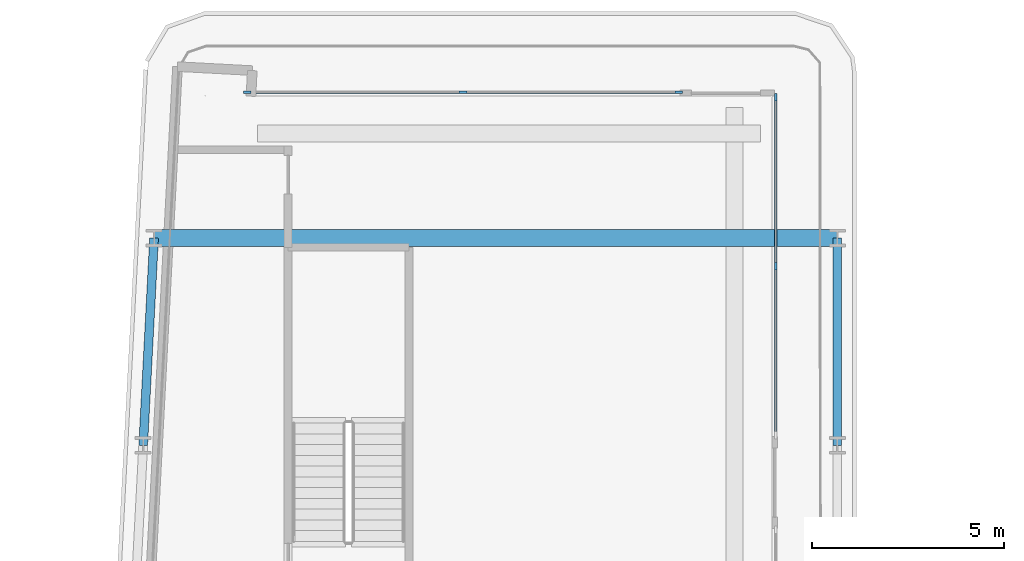
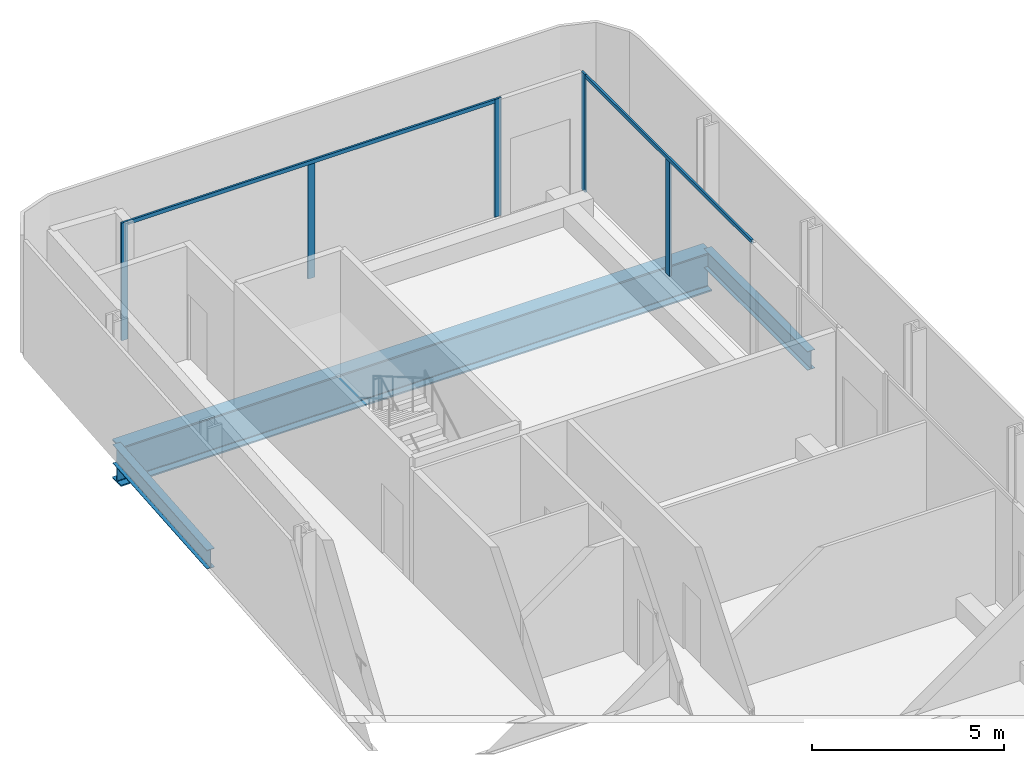
# One storey, part 9 of 26: 7 members, 3 beams, 2 elements without a shape of their own.
"""IFC4 building model written with IfcOpenShell, lengths in metres."""

from ifc_helpers import new_model, si_unit, direction, frame, origin, origin_2d, place, context, subcontext, project, spatial, rectangle, i_section, extrude, material, layer, layer_set, material_profile, profile_set, type_object, element, aggregate, save


model = new_model("IFC4")

# Units and contexts
model_context = context("Model", 3, precision=1e-05, world=origin(), true_north=direction((0.0, 1.0)))
body_context = subcontext(model_context, "Body", "Model", "MODEL_VIEW")
ifc_project = project(units=[si_unit("LENGTHUNIT", "METRE"), si_unit("AREAUNIT", "SQUARE_METRE"), si_unit("VOLUMEUNIT", "CUBIC_METRE"), si_unit("PLANEANGLEUNIT", "RADIAN"), si_unit("MASSUNIT", "GRAM", prefix="KILO")], contexts=[model_context])

# Site, building, storey
site_placement = place(None, origin())
site = spatial("IfcSite", under=ifc_project, at=site_placement, CompositionType="ELEMENT")
building_placement = place(site_placement, origin())
building = spatial("IfcBuilding", under=site, at=building_placement, Name="Kheshtan School and Residences Tower", CompositionType="ELEMENT")
storey_placement = place(building_placement, frame((0.0, 0.0, 105.800048828125)))
storey = spatial("IfcBuildingStorey", under=building, at=storey_placement, Name="L24", CompositionType="ELEMENT", Elevation=105.800048828125)

# Beams
ifc_material_1 = material(Name="Steel ASTM A992 Grade 50", Category="steel")
ifc_material_profile_1 = material_profile(ifc_material_1, i_section(OverallWidth=0.22802734375, OverallDepth=0.60302734375, WebThickness=0.010498046875, FlangeThickness=0.014892578125, FilletRadius=0.013427734375, at=origin_2d()), Name="W610x101")
ifc_profile_set_1 = profile_set([ifc_material_profile_1], Name="Steel ASTM A992 Grade 50")
beam_type_1 = type_object("IfcBeamType", Name="Beam SP2 W610x101 ASTM A992 Grade 50", PredefinedType="BEAM", material=ifc_profile_set_1)
beam_1_placement = place(storey_placement, frame((47.60009765625, 88.800048828125, -0.45166015625), z_axis=(0.0, -1.0, 0.0), x_axis=(1.0, 0.0, 0.0)))
element("IfcBeam", 1, at=beam_1_placement, inside=storey, type_object=beam_type_1, Name="Spandrel beam C099-C091", PredefinedType="BEAM", context=body_context, shape_type="SweptSolid", body=[
    extrude(i_section(OverallWidth=0.22802734375, OverallDepth=0.60302734375, WebThickness=0.010498046875, FlangeThickness=0.014892578125, FilletRadius=0.013427734375, at=origin_2d()), origin(), (0.0, 0.0, 1.0), 5.400146484375),
])
beam_2_placement = place(storey_placement, frame((29.527099609375, 83.39990234375, -0.45166015625), z_axis=(0.05250670125, 0.998620571751, 0.0), x_axis=(-0.998620571751, 0.05250670125, 0.0)))
element("IfcBeam", 2, at=beam_2_placement, inside=storey, type_object=beam_type_1, Name="Spandrel beam C090-C098", PredefinedType="BEAM", context=body_context, shape_type="SweptSolid", body=[
    extrude(i_section(OverallWidth=0.22802734375, OverallDepth=0.60302734375, WebThickness=0.010498046875, FlangeThickness=0.014892578125, FilletRadius=0.013427734375, at=origin_2d()), origin(), (0.0, 0.0, 1.0), 5.40771484375),
])

# Curtain wall, members
ifc_material_2 = material(Name="Clear low-e glass in thermally broken aluminium frame", Category="aluminium")
ifc_layer = layer(ifc_material_2, 0.199951171875)
ifc_layer_set = layer_set([ifc_layer], Name="Curtain wall CW-L")
curtain_wall_type = type_object("IfcCurtainWallType", Name="Curtain wall CW-L", PredefinedType="NOTDEFINED", material=ifc_layer_set)
curtain_wall_1_placement = place(storey_placement, origin())
curtain_wall_1 = element("IfcCurtainWall", 3, at=curtain_wall_1_placement, inside=storey, type_object=curtain_wall_type, Name="Curtain wall CWL3a", PredefinedType="NOTDEFINED")
ifc_material_3 = material(Name="Thermally broken aluminium, dark bronze anodised", Category="aluminium")
ifc_material_profile_2 = material_profile(ifc_material_3, rectangle(XDim=0.06005859375, YDim=0.199951171875, at=origin_2d()), Name="CW-L mullion 60x200")
ifc_profile_set_2 = profile_set([ifc_material_profile_2], Name="Thermally broken aluminium, dark bronze anodised")
member_type_1 = type_object("IfcMemberType", Name="CW-L mullion 60x200", PredefinedType="MULLION", material=ifc_profile_set_2)
member_1_placement = place(storey_placement, frame((32.238037109375, 92.60009765625, 0.0), z_axis=(0.0, 0.0, 1.0), x_axis=(0.0, 1.0, 0.0)))
member_1 = element("IfcMember", 4, at=member_1_placement, type_object=member_type_1, Name="CWL3a mullion 1", PredefinedType="MULLION", context=body_context, shape_type="SweptSolid", body=[
    extrude(rectangle(XDim=0.06005859375, YDim=0.199951171875, at=origin_2d()), origin(), (0.0, 0.0, 1.0), 3.75),
])
member_2_placement = place(storey_placement, frame((37.85400390625, 92.60009765625, 0.0), z_axis=(0.0, 0.0, 1.0), x_axis=(0.0, 1.0, 0.0)))
member_2 = element("IfcMember", 5, at=member_2_placement, type_object=member_type_1, Name="CWL3a mullion 2", PredefinedType="MULLION", context=body_context, shape_type="SweptSolid", body=[
    extrude(rectangle(XDim=0.06005859375, YDim=0.199951171875, at=origin_2d()), origin(), (0.0, 0.0, 1.0), 3.6298828125),
])
member_3_placement = place(storey_placement, frame((43.469970703125, 92.60009765625, 0.0), z_axis=(0.0, 0.0, 1.0), x_axis=(0.0, 1.0, 0.0)))
member_3 = element("IfcMember", 6, at=member_3_placement, type_object=member_type_1, Name="CWL3a mullion 3", PredefinedType="MULLION", context=body_context, shape_type="SweptSolid", body=[
    extrude(rectangle(XDim=0.06005859375, YDim=0.199951171875, at=origin_2d()), origin(), (0.0, 0.0, 1.0), 3.75),
])

curtain_wall_2_placement = place(storey_placement, origin())
curtain_wall_2 = element("IfcCurtainWall", 7, at=curtain_wall_2_placement, inside=storey, type_object=curtain_wall_type, Name="Curtain wall CWL4b", PredefinedType="NOTDEFINED")
member_4_placement = place(storey_placement, frame((46.0, 92.469970703125, 0.0), z_axis=(0.0, 0.0, 1.0), x_axis=(1.0, 0.0, 0.0)))
member_4 = element("IfcMember", 8, at=member_4_placement, type_object=member_type_1, Name="CWL4b mullion 1", PredefinedType="MULLION", context=body_context, shape_type="SweptSolid", body=[
    extrude(rectangle(XDim=0.06005859375, YDim=0.199951171875, at=origin_2d()), origin(), (0.0, 0.0, 1.0), 3.75),
])
member_5_placement = place(storey_placement, frame((46.0, 88.066162109375, 0.0), z_axis=(0.0, 0.0, 1.0), x_axis=(1.0, 0.0, 0.0)))
member_5 = element("IfcMember", 9, at=member_5_placement, type_object=member_type_1, Name="CWL4b mullion 2", PredefinedType="MULLION", context=body_context, shape_type="SweptSolid", body=[
    extrude(rectangle(XDim=0.06005859375, YDim=0.199951171875, at=origin_2d()), origin(), (0.0, 0.0, 1.0), 3.6298828125),
])

# Member
ifc_material_profile_3 = material_profile(ifc_material_3, rectangle(XDim=0.06005859375, YDim=0.1201171875, at=origin_2d()), Name="CW-L transom 60x120")
ifc_profile_set_3 = profile_set([ifc_material_profile_3], Name="Thermally broken aluminium, dark bronze anodised")
member_type_2 = type_object("IfcMemberType", Name="CW-L transom 60x120", PredefinedType="USERDEFINED", material=ifc_profile_set_3)
member_6_placement = place(storey_placement, frame((32.26806640625, 92.60009765625, 3.68994140625), z_axis=(1.0, 0.0, 0.0), x_axis=(0.0, 1.0, 0.0)))
member_6 = element("IfcMember", 10, at=member_6_placement, type_object=member_type_2, Name="CWL3a transom 1", ObjectType="TRANSOM", PredefinedType="USERDEFINED", context=body_context, shape_type="SweptSolid", body=[
    extrude(rectangle(XDim=0.06005859375, YDim=0.1201171875, at=origin_2d()), origin(), (0.0, 0.0, 1.0), 11.171875),
])

aggregate(curtain_wall_1, [member_1, member_2, member_3, member_6])

member_7_placement = place(storey_placement, frame((46.0, 92.43994140625, 3.68994140625), z_axis=(0.0, -1.0, 0.0), x_axis=(1.0, 0.0, 0.0)))
member_7 = element("IfcMember", 11, at=member_7_placement, type_object=member_type_2, Name="CWL4b transom 1", ObjectType="TRANSOM", PredefinedType="USERDEFINED", context=body_context, shape_type="SweptSolid", body=[
    extrude(rectangle(XDim=0.06005859375, YDim=0.1201171875, at=origin_2d()), origin(), (0.0, 0.0, 1.0), 8.74755859375),
])

aggregate(curtain_wall_2, [member_4, member_5, member_7])

# Beam
ifc_material_profile_4 = material_profile(ifc_material_1, i_section(OverallWidth=0.449951171875, OverallDepth=1.25, WebThickness=0.02490234375, FlangeThickness=0.044921875, FilletRadius=0.03759765625, at=origin_2d()), Name="WWF1250x546")
ifc_profile_set_4 = profile_set([ifc_material_profile_4], Name="Steel ASTM A992 Grade 50")
beam_type_2 = type_object("IfcBeamType", Name="Transfer girder TG4 WWF1250x546 ASTM A992 Grade 50", PredefinedType="BEAM", material=ifc_profile_set_4)
beam_3_placement = place(storey_placement, frame((29.81103515625, 88.800048828125, -0.775146484375), z_axis=(1.0, 0.0, 0.0), x_axis=(0.0, 1.0, 0.0)))
element("IfcBeam", 12, at=beam_3_placement, inside=storey, type_object=beam_type_2, Name="Transfer girder C098-C099", PredefinedType="BEAM", context=body_context, shape_type="SweptSolid", body=[
    extrude(i_section(OverallWidth=0.449951171875, OverallDepth=1.25, WebThickness=0.02490234375, FlangeThickness=0.044921875, FilletRadius=0.03759765625, at=origin_2d()), origin(), (0.0, 0.0, 1.0), 17.7890625),
])

save(model, "model.ifc")
